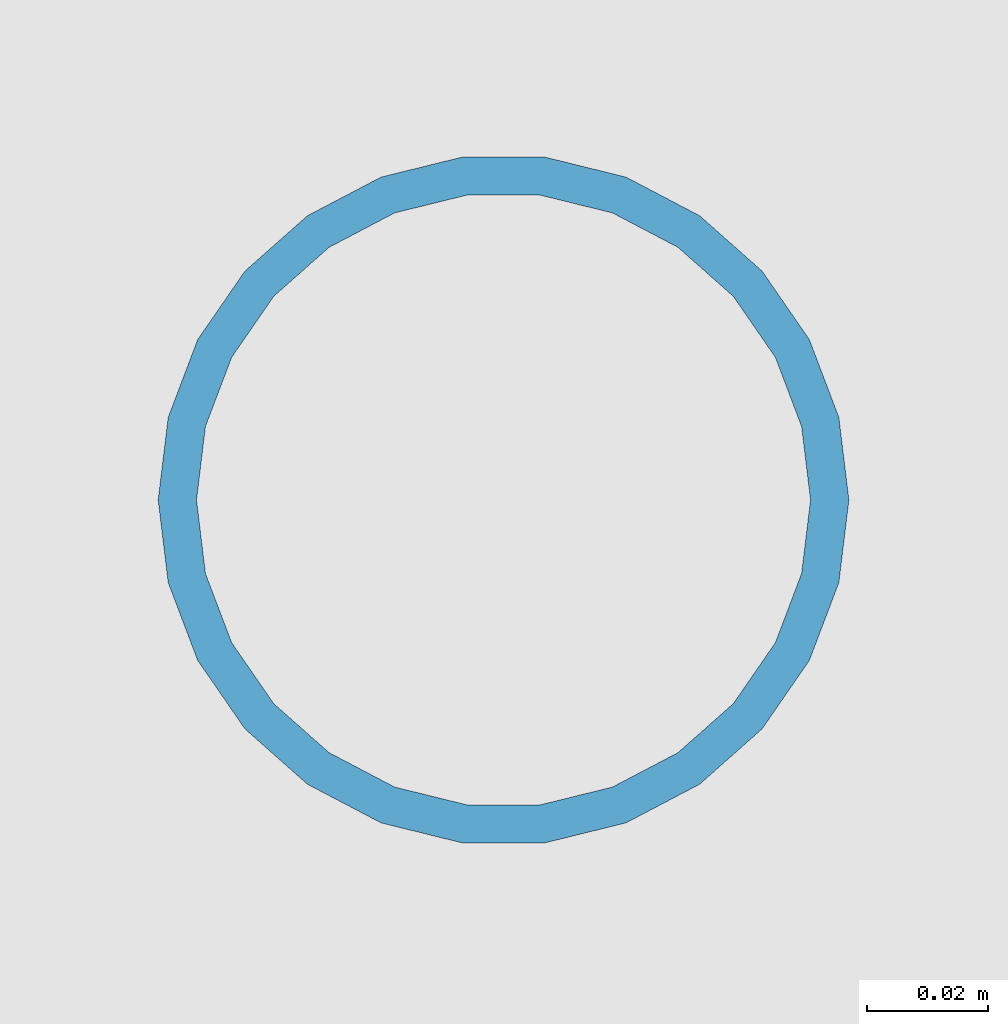
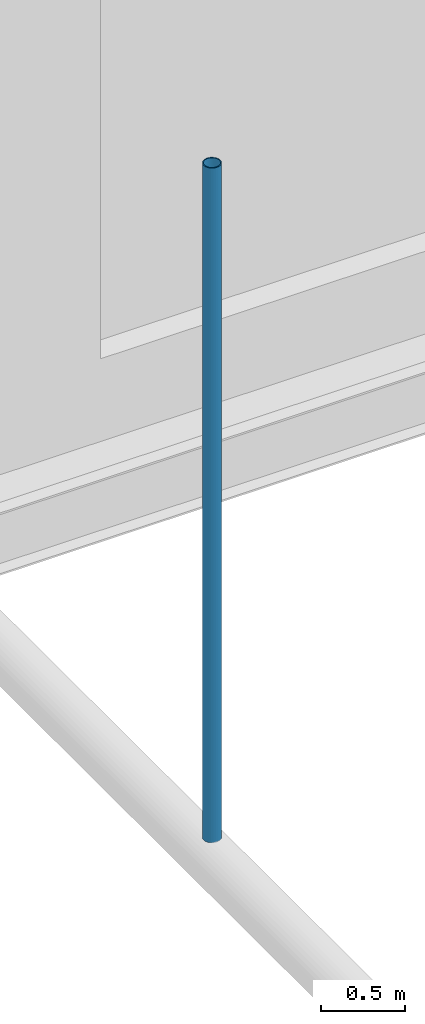
# One storey, part 51 of 167: 1 member.
"""IFC4 building model written with IfcOpenShell, lengths in metres."""

from ifc_helpers import new_model, si_unit, direction, frame, origin, origin_2d, place, context, subcontext, project, spatial, hollow_circle, extrude, material, material_profile, profile_set, type_object, element, save


model = new_model("IFC4")

# Units and contexts
model_context = context("Model", 3, precision=1e-05, world=origin(), true_north=direction((0.0, 1.0)))
body_context = subcontext(model_context, "Body", "Model", "MODEL_VIEW")
ifc_project = project(units=[si_unit("LENGTHUNIT", "METRE"), si_unit("AREAUNIT", "SQUARE_METRE"), si_unit("VOLUMEUNIT", "CUBIC_METRE"), si_unit("PLANEANGLEUNIT", "RADIAN"), si_unit("MASSUNIT", "GRAM", prefix="KILO")], contexts=[model_context])

# Site, building, storey
site_placement = place(None, origin())
site = spatial("IfcSite", under=ifc_project, at=site_placement, CompositionType="ELEMENT")
building_placement = place(site_placement, origin())
building = spatial("IfcBuilding", under=site, at=building_placement, Name="Catenary Quay Ferry Terminal", CompositionType="ELEMENT")
storey_placement = place(building_placement, frame((0.0, 0.0, 6.0)))
storey = spatial("IfcBuildingStorey", under=building, at=storey_placement, Name="L01", CompositionType="ELEMENT", Elevation=6.0)

# Member
ifc_material = material(Name="Steel S355", Category="steel")
ifc_material_profile = material_profile(ifc_material, hollow_circle(Radius=0.05712890625, WallThickness=0.00634765625, at=origin_2d()), Name="CHS 114.3x6.3")
ifc_profile_set = profile_set([ifc_material_profile], Name="Steel S355")
member_type = type_object("IfcMemberType", Name="HG1 CHS 114.3x6.3", PredefinedType="POST", material=ifc_profile_set)
member_placement = place(storey_placement, frame((33.60009765625, 91.159912109375, 4.654052734375), z_axis=(0.0, 0.0, 1.0), x_axis=(1.0, 0.0, 0.0)))
element("IfcMember", 1, at=member_placement, inside=storey, type_object=member_type, Name="Hanger VA-02-07", PredefinedType="POST", context=body_context, shape_type="SweptSolid", body=[
    extrude(hollow_circle(Radius=0.05712890625, WallThickness=0.00634765625, at=origin_2d()), origin(), (0.0, 0.0, 1.0), 4.89599609375),
])

save(model, "model.ifc")
